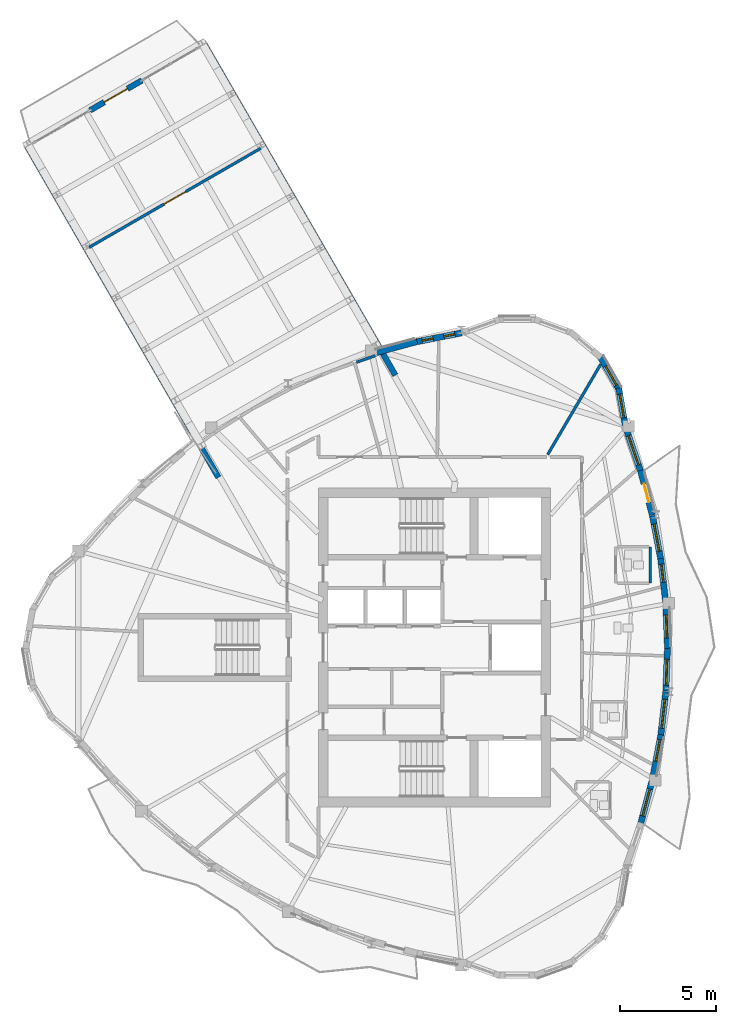
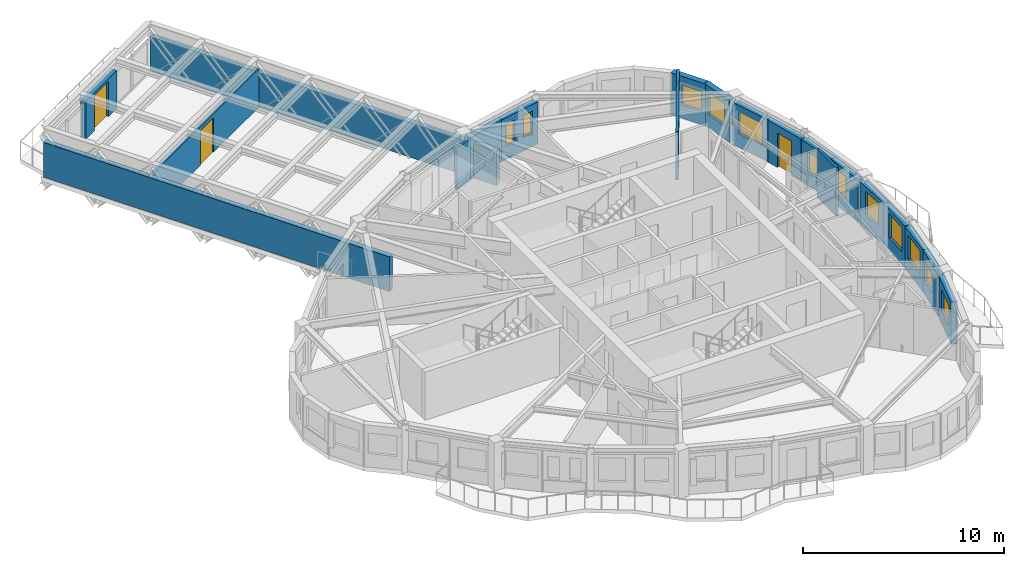
# One storey, part 9 of 14: 20 walls, 12 windows, 3 doors, 15 openings.
"""IFC4 building model written with IfcOpenShell, lengths in metres."""

from ifc_helpers import new_model, si_unit, direction, frame, frame_2d, origin, place, context, subcontext, project, spatial, rectangle, extrude, source, transform, mapped, material, layer, layer_set, type_object, element, fill, save


model = new_model("IFC4")

# Units and contexts
model_context = context("Model", 3, precision=1e-05, world=origin(), true_north=direction((0.0, 1.0)))
body_context = subcontext(model_context, "Body", "Model", "MODEL_VIEW")
ifc_project = project(units=[si_unit("LENGTHUNIT", "METRE"), si_unit("AREAUNIT", "SQUARE_METRE"), si_unit("VOLUMEUNIT", "CUBIC_METRE"), si_unit("PLANEANGLEUNIT", "RADIAN"), si_unit("MASSUNIT", "GRAM", prefix="KILO")], contexts=[model_context])

# Site, building, storey
site_placement = place(None, origin())
site = spatial("IfcSite", under=ifc_project, at=site_placement, CompositionType="ELEMENT")
building_placement = place(site_placement, origin())
building = spatial("IfcBuilding", under=site, at=building_placement, Name="Qafzar Sky-Pleat Residences", CompositionType="ELEMENT")
storey_placement = place(building_placement, frame((0.0, 0.0, 208.39990234375)))
storey = spatial("IfcBuildingStorey", under=building, at=storey_placement, Name="L62", CompositionType="ELEMENT", Elevation=208.39990234375)

# Wall, opening, door
ifc_material_1 = material(Name="Acoustic gypsum plasterboard partition", Category="gypsum")
ifc_layer_1 = layer(ifc_material_1, 0.14501953125)
ifc_layer_set_1 = layer_set([ifc_layer_1], Name="Acoustic gypsum plasterboard partition")
wall_type_1 = type_object("IfcWallType", Name="PART-UNIT-145", PredefinedType="PARTITIONING", material=ifc_layer_set_1)
wall_1_placement = place(storey_placement, frame((12.3583984375, 46.83837890625, 0.0), z_axis=(0.0, 0.0, 1.0), x_axis=(0.866032792327, 0.499987202451, 0.0)))
wall_1 = element("IfcWall", 1, at=wall_1_placement, inside=storey, type_object=wall_type_1, Name="L62 Partition Wall PART-L62-PW-001", PredefinedType="PARTITIONING", context=body_context, shape_type="SweptSolid", body=[
    extrude(rectangle(XDim=10.323974609375, YDim=0.14501953125, at=frame_2d((5.162109375, 0.0))), origin(), (0.0, 0.0, 1.0), 2.35302734375),
])
opening_1_placement = place(wall_1_placement, frame((4.511474609375, 0.0, 0.0)))
opening_1 = element("IfcOpeningElement", 2, at=opening_1_placement, cuts=wall_1, Name="Opening ID-05", PredefinedType="OPENING", context=body_context, shape_type="SweptSolid", body=[
    extrude(rectangle(XDim=1.300048828125, YDim=2.10009765625, at=frame_2d((0.64990234375, 1.050048828125))), frame((0.0, 0.08251953125, 0.0), z_axis=(0.0, -1.0, 0.0), x_axis=(1.0, 0.0, 0.0)), (0.0, 0.0, 1.0), 0.1650390625),
])
ifc_material_2 = material(Name="Timber-faced fire door", Category="wood")
door_type_1 = type_object("IfcDoorType", Name="DR-LNG-1300", OperationType="DOUBLE_DOOR_SINGLE_SWING", PredefinedType="DOOR", material=ifc_material_2)
shared_shape_1 = source(origin(), body_context, "Body", "SweptSolid", [
    extrude(rectangle(XDim=1.300048828125, YDim=2.10009765625, at=frame_2d((0.64990234375, 1.050048828125))), frame((0.0, 0.02490234375, 0.0), z_axis=(0.0, -1.0, 0.0), x_axis=(1.0, 0.0, 0.0)), (0.0, 0.0, 1.0), 0.050048828125),
])
door_1_placement = place(opening_1_placement, origin())
door_1 = element("IfcDoor", 3, at=door_1_placement, inside=storey, type_object=door_type_1, Name="L62 Panorama Sky Lounge Door", OperationType="DOUBLE_DOOR_SINGLE_SWING", OverallHeight=2.10009765625, OverallWidth=1.300048828125, PredefinedType="DOOR", context=body_context, shape_type="MappedRepresentation", body=[
    mapped(shared_shape_1, transform((0.0, 0.0, 0.0), x_axis=(1.0, 0.0, 0.0), y_axis=(0.0, 1.0, 0.0), z_axis=(0.0, 0.0, 1.0), scale=1.0)),
])
fill(opening_1, door_1)

# Walls
wall_2_placement = place(storey_placement, frame((36.242431640625, 36.043701171875, 0.0), z_axis=(0.0, 0.0, 1.0), x_axis=(0.50599508157, 0.862536362959, 0.0)))
element("IfcWall", 4, at=wall_2_placement, inside=storey, type_object=wall_type_1, Name="L62 Partition Wall PART-L62-PW-021", PredefinedType="PARTITIONING", context=body_context, shape_type="SweptSolid", body=[
    extrude(rectangle(XDim=5.4560546875, YDim=0.14501953125, at=frame_2d((2.72802734375, 0.0))), origin(), (0.0, 0.0, 1.0), 2.93505859375),
])
wall_3_placement = place(storey_placement, frame((26.28662109375, 40.85595703125, 0.0), z_axis=(0.0, 0.0, 1.0), x_axis=(0.944089421658, 0.329689496214, 0.0)))
element("IfcWall", 5, at=wall_3_placement, inside=storey, type_object=wall_type_1, Name="L62 Partition Wall PART-L62-PW-048", PredefinedType="PARTITIONING", context=body_context, shape_type="SweptSolid", body=[
    extrude(rectangle(XDim=1.03662109375, YDim=0.14501953125, at=frame_2d((0.518310546875, 0.0))), origin(), (0.0, 0.0, 1.0), 2.543212890625),
])
ifc_material_3 = material(Name="Moisture-resistant gypsum partition", Category="gypsum")
ifc_layer_2 = layer(ifc_material_3, 0.1298828125)
ifc_layer_set_2 = layer_set([ifc_layer_2], Name="Moisture-resistant gypsum partition")
wall_type_2 = type_object("IfcWallType", Name="PART-WET-130", PredefinedType="PARTITIONING", material=ifc_layer_set_2)
wall_4_placement = place(storey_placement, frame((41.594970703125, 29.343994140625, 0.0), z_axis=(0.0, 0.0, 1.0), x_axis=(0.0, 1.0, 0.0)))
element("IfcWall", 6, at=wall_4_placement, inside=storey, type_object=wall_type_2, Name="L62 Partition Wall PART-L62-PW-033", PredefinedType="PARTITIONING", context=body_context, shape_type="SweptSolid", body=[
    extrude(rectangle(XDim=1.89990234375, YDim=0.1298828125, at=frame_2d((0.949951171875, 0.0))), origin(), (0.0, 0.0, 1.0), 2.93505859375),
])
ifc_material_4 = material(Name="Precast concrete C40/50 with honed Riyadh limestone", Category="concrete")
ifc_layer_3 = layer(ifc_material_4, 0.300048828125)
ifc_layer_set_3 = layer_set([ifc_layer_3], Name="Precast concrete C40/50 with honed Riyadh limestone")
wall_type_3 = type_object("IfcWallType", Name="WALL-EXT-300", PredefinedType="SOLIDWALL", material=ifc_layer_set_3)
for number, where, z_axis, x_axis, name in (
    (7, (19.0927734375, 34.858154296875, 0.0), (0.0, 0.0, 1.0), (-0.499994279776, 0.866028706332, 0.0), "L62 SB-5 Side Spandrel Wall L"),
    (8, (28.307373046875, 40.177978515625, 0.0), (0.0, 0.0, 1.0), (-0.500003467681, 0.866023401709, 0.0), "L62 SB-5 Side Spandrel Wall R"),
):
    element("IfcWall", number, at=place(storey_placement, frame(where, z_axis=z_axis, x_axis=x_axis)), inside=storey, type_object=wall_type_3, Name=name, PredefinedType="SOLIDWALL", context=body_context, shape_type="SweptSolid", body=[
        extrude(rectangle(XDim=19.928955078125, YDim=0.300048828125, at=frame_2d((9.96435546875, 0.0))), origin(), (0.0, 0.0, 1.0), 2.114990234375),
    ])

# Wall, opening, door
wall_5_placement = place(storey_placement, frame((12.399658203125, 53.97119140625, 0.0), z_axis=(0.0, 0.0, 1.0), x_axis=(0.866043546354, 0.499968574831, 0.0)))
wall_5 = element("IfcWall", 9, at=wall_5_placement, inside=storey, type_object=wall_type_3, Name="L62 SB-5 Prow Portal Wall", PredefinedType="SOLIDWALL", context=body_context, shape_type="SweptSolid", body=[
    extrude(rectangle(XDim=3.119873046875, YDim=0.300048828125, at=frame_2d((1.56005859375, 0.0))), origin(), (0.0, 0.0, 1.0), 2.300048828125),
])
opening_2_placement = place(wall_5_placement, frame((0.860107421875, 0.0, 0.0)))
opening_2 = element("IfcOpeningElement", 10, at=opening_2_placement, cuts=wall_5, Name="Opening ED-07", PredefinedType="OPENING", context=body_context, shape_type="SweptSolid", body=[
    extrude(rectangle(XDim=1.39990234375, YDim=2.14990234375, at=frame_2d((0.699951171875, 1.074951171875))), frame((0.0, 0.16015625, 0.0), z_axis=(0.0, -1.0, 0.0), x_axis=(1.0, 0.0, 0.0)), (0.0, 0.0, 1.0), 0.320068359375),
])
ifc_material_5 = material(Name="Glazed bronze aluminium door", Category="aluminium")
door_type_2 = type_object("IfcDoorType", Name="DR-SB-1400", OperationType="DOUBLE_DOOR_SINGLE_SWING", PredefinedType="DOOR", material=ifc_material_5)
shared_shape_2 = source(origin(), body_context, "Body", "SweptSolid", [
    extrude(rectangle(XDim=1.39990234375, YDim=2.14990234375, at=frame_2d((0.699951171875, 1.074951171875))), frame((0.0, 0.02490234375, 0.0), z_axis=(0.0, -1.0, 0.0), x_axis=(1.0, 0.0, 0.0)), (0.0, 0.0, 1.0), 0.050048828125),
])
door_2_placement = place(opening_2_placement, origin())
door_2 = element("IfcDoor", 11, at=door_2_placement, inside=storey, type_object=door_type_2, Name="L62 SB-5 Tip Balcony Glazed Door", OperationType="DOUBLE_DOOR_SINGLE_SWING", OverallHeight=2.14990234375, OverallWidth=1.39990234375, PredefinedType="DOOR", context=body_context, shape_type="MappedRepresentation", body=[
    mapped(shared_shape_2, transform((0.0, 0.0, 0.0), x_axis=(1.0, 0.0, 0.0), y_axis=(0.0, 1.0, 0.0), z_axis=(0.0, 0.0, 1.0), scale=1.0)),
])
fill(opening_2, door_2)

# Wall, opening, window
ifc_layer_4 = layer(ifc_material_4, 0.320068359375)
ifc_layer_set_4 = layer_set([ifc_layer_4], Name="Precast concrete C40/50 with honed Riyadh limestone")
wall_type_4 = type_object("IfcWallType", Name="WALL-EXT-320", PredefinedType="SOLIDWALL", material=ifc_layer_set_4)
wall_6_placement = place(storey_placement, frame((41.076171875, 16.786376953125, 0.0), z_axis=(0.0, 0.0, 1.0), x_axis=(0.257037260973, 0.966401493413, 0.0)))
wall_6 = element("IfcWall", 12, at=wall_6_placement, inside=storey, type_object=wall_type_4, Name="L62 Limestone Facade Wall 24", PredefinedType="SOLIDWALL", context=body_context, shape_type="SweptSolid", body=[
    extrude(rectangle(XDim=2.332763671875, YDim=0.320068359375, at=frame_2d((1.16650390625, 0.0))), origin(), (0.0, 0.0, 1.0), 2.55517578125),
])
opening_3_placement = place(wall_6_placement, frame((0.4462890625, 0.0, 0.820068359375)))
opening_3 = element("IfcOpeningElement", 13, at=opening_3_placement, cuts=wall_6, Name="Opening WN-15", PredefinedType="OPENING", context=body_context, shape_type="SweptSolid", body=[
    extrude(rectangle(XDim=1.449951171875, YDim=1.25, at=frame_2d((0.72509765625, 0.625))), frame((0.0, 0.169921875, 0.0), z_axis=(0.0, -1.0, 0.0), x_axis=(1.0, 0.0, 0.0)), (0.0, 0.0, 1.0), 0.340087890625),
])
ifc_material_6 = material(Name="Solar-control low-E glass in bronze aluminium frame", Category="glass")
window_type_1 = type_object("IfcWindowType", Name="WIN-15", PartitioningType="SINGLE_PANEL", PredefinedType="WINDOW", material=ifc_material_6)
shared_shape_3 = source(origin(), body_context, "Body", "SweptSolid", [
    extrude(rectangle(XDim=1.449951171875, YDim=1.25, at=frame_2d((0.72509765625, 0.625))), frame((0.0, 0.030029296875, 0.0), z_axis=(0.0, -1.0, 0.0), x_axis=(1.0, 0.0, 0.0)), (0.0, 0.0, 1.0), 0.06005859375),
])
window_1_placement = place(opening_3_placement, origin())
window_1 = element("IfcWindow", 14, at=window_1_placement, inside=storey, type_object=window_type_1, Name="L62 Punched Facade Window 24", OverallHeight=1.25, OverallWidth=1.449951171875, PartitioningType="SINGLE_PANEL", PredefinedType="WINDOW", context=body_context, shape_type="MappedRepresentation", body=[
    mapped(shared_shape_3, transform((0.0, 0.0, 0.0), x_axis=(1.0, 0.0, 0.0), y_axis=(0.0, 1.0, 0.0), z_axis=(0.0, 0.0, 1.0), scale=1.0)),
])
fill(opening_3, window_1)

wall_7_placement = place(storey_placement, frame((41.713134765625, 19.204833984375, 0.0), z_axis=(0.0, 0.0, 1.0), x_axis=(0.186691464441, 0.982418595663, 0.0)))
wall_7 = element("IfcWall", 15, at=wall_7_placement, inside=storey, type_object=wall_type_4, Name="L62 Limestone Facade Wall 25", PredefinedType="SOLIDWALL", context=body_context, shape_type="SweptSolid", body=[
    extrude(rectangle(XDim=2.293701171875, YDim=0.320068359375, at=frame_2d((1.14697265625, 0.0))), origin(), (0.0, 0.0, 1.0), 2.55517578125),
])
opening_4_placement = place(wall_7_placement, frame((0.880126953125, 0.0, 0.820068359375)))
opening_4 = element("IfcOpeningElement", 16, at=opening_4_placement, cuts=wall_7, Name="Opening WN-16", PredefinedType="OPENING", context=body_context, shape_type="SweptSolid", body=[
    extrude(rectangle(XDim=1.14990234375, YDim=1.199951171875, at=frame_2d((0.574951171875, 0.60009765625))), frame((0.0, 0.169921875, 0.0), z_axis=(0.0, -1.0, 0.0), x_axis=(1.0, 0.0, 0.0)), (0.0, 0.0, 1.0), 0.340087890625),
])
window_type_2 = type_object("IfcWindowType", Name="WIN-16", PartitioningType="SINGLE_PANEL", PredefinedType="WINDOW", material=ifc_material_6)
shared_shape_4 = source(origin(), body_context, "Body", "SweptSolid", [
    extrude(rectangle(XDim=1.14990234375, YDim=1.199951171875, at=frame_2d((0.574951171875, 0.60009765625))), frame((0.0, 0.030029296875, 0.0), z_axis=(0.0, -1.0, 0.0), x_axis=(1.0, 0.0, 0.0)), (0.0, 0.0, 1.0), 0.06005859375),
])
window_2_placement = place(opening_4_placement, origin())
window_2 = element("IfcWindow", 17, at=window_2_placement, inside=storey, type_object=window_type_2, Name="L62 Punched Facade Window 25-2", OverallHeight=1.199951171875, OverallWidth=1.14990234375, PartitioningType="SINGLE_PANEL", PredefinedType="WINDOW", context=body_context, shape_type="MappedRepresentation", body=[
    mapped(shared_shape_4, transform((0.0, 0.0, 0.0), x_axis=(1.0, 0.0, 0.0), y_axis=(0.0, 1.0, 0.0), z_axis=(0.0, 0.0, 1.0), scale=1.0)),
])
fill(opening_4, window_2)

wall_8_placement = place(storey_placement, frame((42.128173828125, 21.371337890625, 0.0), z_axis=(0.0, 0.0, 1.0), x_axis=(0.113319777802, 0.993558567956, 0.0)))
wall_8 = element("IfcWall", 18, at=wall_8_placement, inside=storey, type_object=wall_type_4, Name="L62 Limestone Facade Wall 26", PredefinedType="SOLIDWALL", context=body_context, shape_type="SweptSolid", body=[
    extrude(rectangle(XDim=2.337646484375, YDim=0.320068359375, at=frame_2d((1.1689453125, 0.0))), origin(), (0.0, 0.0, 1.0), 2.55517578125),
])
opening_5_placement = place(wall_8_placement, frame((0.4287109375, 0.0, 0.820068359375)))
opening_5 = element("IfcOpeningElement", 19, at=opening_5_placement, cuts=wall_8, Name="Opening WN-03", PredefinedType="OPENING", context=body_context, shape_type="SweptSolid", body=[
    extrude(rectangle(XDim=1.5, YDim=1.449951171875, at=frame_2d((0.75, 0.72509765625))), frame((0.0, 0.169921875, 0.0), z_axis=(0.0, -1.0, 0.0), x_axis=(1.0, 0.0, 0.0)), (0.0, 0.0, 1.0), 0.340087890625),
])
window_type_3 = type_object("IfcWindowType", Name="WIN-03", PartitioningType="DOUBLE_PANEL_VERTICAL", PredefinedType="WINDOW", material=ifc_material_6)
shared_shape_5 = source(origin(), body_context, "Body", "SweptSolid", [
    extrude(rectangle(XDim=1.5, YDim=1.449951171875, at=frame_2d((0.75, 0.72509765625))), frame((0.0, 0.030029296875, 0.0), z_axis=(0.0, -1.0, 0.0), x_axis=(1.0, 0.0, 0.0)), (0.0, 0.0, 1.0), 0.06005859375),
])
window_3_placement = place(opening_5_placement, origin())
window_3 = element("IfcWindow", 20, at=window_3_placement, inside=storey, type_object=window_type_3, Name="L62 Punched Facade Window 26", OverallHeight=1.449951171875, OverallWidth=1.5, PartitioningType="SINGLE_PANEL", PredefinedType="WINDOW", context=body_context, shape_type="MappedRepresentation", body=[
    mapped(shared_shape_5, transform((0.0, 0.0, 0.0), x_axis=(1.0, 0.0, 0.0), y_axis=(0.0, 1.0, 0.0), z_axis=(0.0, 0.0, 1.0), scale=1.0)),
])
fill(opening_5, window_3)

wall_9_placement = place(storey_placement, frame((42.39501953125, 23.7216796875, 0.0), z_axis=(0.0, 0.0, 1.0), x_axis=(0.038025668885, 0.999276762717, 0.0)))
wall_9 = element("IfcWall", 21, at=wall_9_placement, inside=storey, type_object=wall_type_4, Name="L62 Limestone Facade Wall 27", PredefinedType="SOLIDWALL", context=body_context, shape_type="SweptSolid", body=[
    extrude(rectangle(XDim=2.32421875, YDim=0.320068359375, at=frame_2d((1.162109375, 0.0))), origin(), (0.0, 0.0, 1.0), 2.55517578125),
])
opening_6_placement = place(wall_9_placement, frame((0.3125, 0.0, 0.820068359375)))
opening_6 = element("IfcOpeningElement", 22, at=opening_6_placement, cuts=wall_9, Name="Opening WN-04", PredefinedType="OPENING", context=body_context, shape_type="SweptSolid", body=[
    extrude(rectangle(XDim=1.35009765625, YDim=1.449951171875, at=frame_2d((0.675048828125, 0.72509765625))), frame((0.0, 0.169921875, 0.0), z_axis=(0.0, -1.0, 0.0), x_axis=(1.0, 0.0, 0.0)), (0.0, 0.0, 1.0), 0.340087890625),
])
window_type_4 = type_object("IfcWindowType", Name="WIN-04", PartitioningType="SINGLE_PANEL", PredefinedType="WINDOW", material=ifc_material_6)
shared_shape_6 = source(origin(), body_context, "Body", "SweptSolid", [
    extrude(rectangle(XDim=1.35009765625, YDim=1.449951171875, at=frame_2d((0.675048828125, 0.72509765625))), frame((0.0, 0.030029296875, 0.0), z_axis=(0.0, -1.0, 0.0), x_axis=(1.0, 0.0, 0.0)), (0.0, 0.0, 1.0), 0.06005859375),
])
window_4_placement = place(opening_6_placement, origin())
window_4 = element("IfcWindow", 23, at=window_4_placement, inside=storey, type_object=window_type_4, Name="L62 Punched Facade Window 27", OverallHeight=1.449951171875, OverallWidth=1.35009765625, PartitioningType="SINGLE_PANEL", PredefinedType="WINDOW", context=body_context, shape_type="MappedRepresentation", body=[
    mapped(shared_shape_6, transform((0.0, 0.0, 0.0), x_axis=(1.0, 0.0, 0.0), y_axis=(0.0, 1.0, 0.0), z_axis=(0.0, 0.0, 1.0), scale=1.0)),
])
fill(opening_6, window_4)

wall_10_placement = place(storey_placement, frame((42.4833984375, 25.955810546875, 0.0), z_axis=(0.0, 0.0, 1.0), x_axis=(-0.038013039165, 0.999277243238, 0.0)))
wall_10 = element("IfcWall", 24, at=wall_10_placement, inside=storey, type_object=wall_type_4, Name="L62 Limestone Facade Wall 28", PredefinedType="SOLIDWALL", context=body_context, shape_type="SweptSolid", body=[
    extrude(rectangle(XDim=2.25439453125, YDim=0.320068359375, at=frame_2d((1.127197265625, 0.0))), origin(), (0.0, 0.0, 1.0), 2.55517578125),
])
opening_7_placement = place(wall_10_placement, frame((0.531982421875, 0.0, 0.820068359375)))
opening_7 = element("IfcOpeningElement", 25, at=opening_7_placement, cuts=wall_10, Name="Opening WN-05", PredefinedType="OPENING", context=body_context, shape_type="SweptSolid", body=[
    extrude(rectangle(XDim=1.199951171875, YDim=1.449951171875, at=frame_2d((0.60009765625, 0.72509765625))), frame((0.0, 0.169921875, 0.0), z_axis=(0.0, -1.0, 0.0), x_axis=(1.0, 0.0, 0.0)), (0.0, 0.0, 1.0), 0.340087890625),
])
window_type_5 = type_object("IfcWindowType", Name="WIN-05", PartitioningType="SINGLE_PANEL", PredefinedType="WINDOW", material=ifc_material_6)
shared_shape_7 = source(origin(), body_context, "Body", "SweptSolid", [
    extrude(rectangle(XDim=1.199951171875, YDim=1.449951171875, at=frame_2d((0.60009765625, 0.72509765625))), frame((0.0, 0.030029296875, 0.0), z_axis=(0.0, -1.0, 0.0), x_axis=(1.0, 0.0, 0.0)), (0.0, 0.0, 1.0), 0.06005859375),
])
window_5_placement = place(opening_7_placement, origin())
window_5 = element("IfcWindow", 26, at=window_5_placement, inside=storey, type_object=window_type_5, Name="L62 Punched Facade Window 28", OverallHeight=1.449951171875, OverallWidth=1.199951171875, PartitioningType="SINGLE_PANEL", PredefinedType="WINDOW", context=body_context, shape_type="MappedRepresentation", body=[
    mapped(shared_shape_7, transform((0.0, 0.0, 0.0), x_axis=(1.0, 0.0, 0.0), y_axis=(0.0, 1.0, 0.0), z_axis=(0.0, 0.0, 1.0), scale=1.0)),
])
fill(opening_7, window_5)

wall_11_placement = place(storey_placement, frame((42.385009765625, 28.375732421875, 0.0), z_axis=(0.0, 0.0, 1.0), x_axis=(-0.113267221285, 0.993564560853, 0.0)))
wall_11 = element("IfcWall", 27, at=wall_11_placement, inside=storey, type_object=wall_type_4, Name="L62 Limestone Facade Wall 29", PredefinedType="SOLIDWALL", context=body_context, shape_type="SweptSolid", body=[
    extrude(rectangle(XDim=2.267578125, YDim=0.320068359375, at=frame_2d((1.1337890625, 0.0))), origin(), (0.0, 0.0, 1.0), 2.55517578125),
])
opening_8_placement = place(wall_11_placement, frame((1.02099609375, 0.0, 0.820068359375)))
opening_8 = element("IfcOpeningElement", 28, at=opening_8_placement, cuts=wall_11, Name="Opening WN-12", PredefinedType="OPENING", context=body_context, shape_type="SweptSolid", body=[
    extrude(rectangle(XDim=0.949951171875, YDim=1.35009765625, at=frame_2d((0.47509765625, 0.675048828125))), frame((0.0, 0.169921875, 0.0), z_axis=(0.0, -1.0, 0.0), x_axis=(1.0, 0.0, 0.0)), (0.0, 0.0, 1.0), 0.340087890625),
])
window_type_6 = type_object("IfcWindowType", Name="WIN-12", PartitioningType="SINGLE_PANEL", PredefinedType="WINDOW", material=ifc_material_6)
shared_shape_8 = source(origin(), body_context, "Body", "SweptSolid", [
    extrude(rectangle(XDim=0.949951171875, YDim=1.35009765625, at=frame_2d((0.47509765625, 0.675048828125))), frame((0.0, 0.030029296875, 0.0), z_axis=(0.0, -1.0, 0.0), x_axis=(1.0, 0.0, 0.0)), (0.0, 0.0, 1.0), 0.06005859375),
])
window_6_placement = place(opening_8_placement, origin())
window_6 = element("IfcWindow", 29, at=window_6_placement, inside=storey, type_object=window_type_6, Name="L62 Punched Facade Window 29-2", OverallHeight=1.35009765625, OverallWidth=0.949951171875, PartitioningType="SINGLE_PANEL", PredefinedType="WINDOW", context=body_context, shape_type="MappedRepresentation", body=[
    mapped(shared_shape_8, transform((0.0, 0.0, 0.0), x_axis=(1.0, 0.0, 0.0), y_axis=(0.0, 1.0, 0.0), z_axis=(0.0, 0.0, 1.0), scale=1.0)),
])
fill(opening_8, window_6)

wall_12_placement = place(storey_placement, frame((42.141357421875, 30.541748046875, 0.0), z_axis=(0.0, 0.0, 1.0), x_axis=(-0.186632734065, 0.982429754525, 0.0)))
wall_12 = element("IfcWall", 30, at=wall_12_placement, inside=storey, type_object=wall_type_4, Name="L62 Limestone Facade Wall 30", PredefinedType="SOLIDWALL", context=body_context, shape_type="SweptSolid", body=[
    extrude(rectangle(XDim=2.36376953125, YDim=0.320068359375, at=frame_2d((1.181884765625, 0.0))), origin(), (0.0, 0.0, 1.0), 2.55517578125),
])
opening_9_placement = place(wall_12_placement, frame((0.466796875, 0.0, 0.820068359375)))
opening_9 = element("IfcOpeningElement", 31, at=opening_9_placement, cuts=wall_12, Name="Opening WN-15", PredefinedType="OPENING", context=body_context, shape_type="SweptSolid", body=[
    extrude(rectangle(XDim=1.449951171875, YDim=1.25, at=frame_2d((0.72509765625, 0.625))), frame((0.0, 0.169921875, 0.0), z_axis=(0.0, -1.0, 0.0), x_axis=(1.0, 0.0, 0.0)), (0.0, 0.0, 1.0), 0.340087890625),
])
window_7_placement = place(opening_9_placement, origin())
window_7 = element("IfcWindow", 32, at=window_7_placement, inside=storey, type_object=window_type_1, Name="L62 Punched Facade Window 30", OverallHeight=1.25, OverallWidth=1.449951171875, PartitioningType="SINGLE_PANEL", PredefinedType="WINDOW", context=body_context, shape_type="MappedRepresentation", body=[
    mapped(shared_shape_3, transform((0.0, 0.0, 0.0), x_axis=(1.0, 0.0, 0.0), y_axis=(0.0, 1.0, 0.0), z_axis=(0.0, 0.0, 1.0), scale=1.0)),
])
fill(opening_9, window_7)

# Wall, opening, door
wall_13_placement = place(storey_placement, frame((41.69384765625, 32.8916015625, 0.0), z_axis=(0.0, 0.0, 1.0), x_axis=(-0.257068132003, 0.966393282007, 0.0)))
wall_13 = element("IfcWall", 33, at=wall_13_placement, inside=storey, type_object=wall_type_4, Name="L62 Limestone Facade Wall 31", PredefinedType="SOLIDWALL", context=body_context, shape_type="SweptSolid", body=[
    extrude(rectangle(XDim=2.40283203125, YDim=0.320068359375, at=frame_2d((1.201416015625, 0.0))), origin(), (0.0, 0.0, 1.0), 2.55517578125),
])
opening_10_placement = place(wall_13_placement, frame((0.69140625, 0.0, 0.0)))
opening_10 = element("IfcOpeningElement", 34, at=opening_10_placement, cuts=wall_13, Name="Opening ED-05", PredefinedType="OPENING", context=body_context, shape_type="SweptSolid", body=[
    extrude(rectangle(XDim=1.0, YDim=2.10009765625, at=frame_2d((0.5, 1.050048828125))), frame((0.0, 0.169921875, 0.0), z_axis=(0.0, -1.0, 0.0), x_axis=(1.0, 0.0, 0.0)), (0.0, 0.0, 1.0), 0.340087890625),
])
door_type_3 = type_object("IfcDoorType", Name="DR-BAL-1000", OperationType="NOTDEFINED", PredefinedType="DOOR", material=ifc_material_5)
shared_shape_9 = source(origin(), body_context, "Body", "SweptSolid", [
    extrude(rectangle(XDim=1.0, YDim=2.10009765625, at=frame_2d((0.5, 1.050048828125))), frame((0.0, 0.02490234375, 0.0), z_axis=(0.0, -1.0, 0.0), x_axis=(1.0, 0.0, 0.0)), (0.0, 0.0, 1.0), 0.050048828125),
])
door_3_placement = place(opening_10_placement, origin())
door_3 = element("IfcDoor", 35, at=door_3_placement, inside=storey, type_object=door_type_3, Name="L62 Glazed Balcony Door 1", OperationType="SINGLE_SWING_RIGHT", OverallHeight=2.10009765625, OverallWidth=1.0, PredefinedType="DOOR", context=body_context, shape_type="MappedRepresentation", body=[
    mapped(shared_shape_9, transform((0.0, 0.0, 0.0), x_axis=(1.0, 0.0, 0.0), y_axis=(0.0, 1.0, 0.0), z_axis=(0.0, 0.0, 1.0), scale=1.0)),
])
fill(opening_10, door_3)

# Wall, opening, window
wall_14_placement = place(storey_placement, frame((41.1015625, 35.13037109375, 0.0), z_axis=(0.0, 0.0, 1.0), x_axis=(-0.323685265908, 0.946164810503, 0.0)))
wall_14 = element("IfcWall", 36, at=wall_14_placement, inside=storey, type_object=wall_type_4, Name="L62 Limestone Facade Wall 32", PredefinedType="SOLIDWALL", context=body_context, shape_type="SweptSolid", body=[
    extrude(rectangle(XDim=2.383544921875, YDim=0.320068359375, at=frame_2d((1.19189453125, 0.0))), origin(), (0.0, 0.0, 1.0), 2.55517578125),
])
opening_11_placement = place(wall_14_placement, frame((0.408203125, 0.0, 0.820068359375)))
opening_11 = element("IfcOpeningElement", 37, at=opening_11_placement, cuts=wall_14, Name="Opening WN-09", PredefinedType="OPENING", context=body_context, shape_type="SweptSolid", body=[
    extrude(rectangle(XDim=1.60009765625, YDim=1.35009765625, at=frame_2d((0.800048828125, 0.675048828125))), frame((0.0, 0.169921875, 0.0), z_axis=(0.0, -1.0, 0.0), x_axis=(1.0, 0.0, 0.0)), (0.0, 0.0, 1.0), 0.340087890625),
])
window_type_7 = type_object("IfcWindowType", Name="WIN-09", PartitioningType="DOUBLE_PANEL_VERTICAL", PredefinedType="WINDOW", material=ifc_material_6)
shared_shape_10 = source(origin(), body_context, "Body", "SweptSolid", [
    extrude(rectangle(XDim=1.60009765625, YDim=1.35009765625, at=frame_2d((0.800048828125, 0.675048828125))), frame((0.0, 0.030029296875, 0.0), z_axis=(0.0, -1.0, 0.0), x_axis=(1.0, 0.0, 0.0)), (0.0, 0.0, 1.0), 0.06005859375),
])
window_8_placement = place(opening_11_placement, origin())
window_8 = element("IfcWindow", 38, at=window_8_placement, inside=storey, type_object=window_type_7, Name="L62 Punched Facade Window 32", OverallHeight=1.35009765625, OverallWidth=1.60009765625, PartitioningType="SINGLE_PANEL", PredefinedType="WINDOW", context=body_context, shape_type="MappedRepresentation", body=[
    mapped(shared_shape_10, transform((0.0, 0.0, 0.0), x_axis=(1.0, 0.0, 0.0), y_axis=(0.0, 1.0, 0.0), z_axis=(0.0, 0.0, 1.0), scale=1.0)),
])
fill(opening_11, window_8)

wall_15_placement = place(storey_placement, frame((40.279296875, 37.583251953125, 0.0), z_axis=(0.0, 0.0, 1.0), x_axis=(-0.173671780312, 0.984803590937, 0.0)))
wall_15 = element("IfcWall", 39, at=wall_15_placement, inside=storey, type_object=wall_type_4, Name="L62 Limestone Facade Wall 33", PredefinedType="SOLIDWALL", context=body_context, shape_type="SweptSolid", body=[
    extrude(rectangle(XDim=1.96240234375, YDim=0.320068359375, at=frame_2d((0.981201171875, 0.0))), origin(), (0.0, 0.0, 1.0), 2.55517578125),
])
opening_12_placement = place(wall_15_placement, frame((0.39111328125, 0.0, 0.820068359375)))
opening_12 = element("IfcOpeningElement", 40, at=opening_12_placement, cuts=wall_15, Name="Opening WN-11", PredefinedType="OPENING", context=body_context, shape_type="SweptSolid", body=[
    extrude(rectangle(XDim=1.25, YDim=1.35009765625, at=frame_2d((0.625, 0.675048828125))), frame((0.0, 0.169921875, 0.0), z_axis=(0.0, -1.0, 0.0), x_axis=(1.0, 0.0, 0.0)), (0.0, 0.0, 1.0), 0.340087890625),
])
window_type_8 = type_object("IfcWindowType", Name="WIN-11", PartitioningType="SINGLE_PANEL", PredefinedType="WINDOW", material=ifc_material_6)
shared_shape_11 = source(origin(), body_context, "Body", "SweptSolid", [
    extrude(rectangle(XDim=1.25, YDim=1.35009765625, at=frame_2d((0.625, 0.675048828125))), frame((0.0, 0.030029296875, 0.0), z_axis=(0.0, -1.0, 0.0), x_axis=(1.0, 0.0, 0.0)), (0.0, 0.0, 1.0), 0.06005859375),
])
window_9_placement = place(opening_12_placement, origin())
window_9 = element("IfcWindow", 41, at=window_9_placement, inside=storey, type_object=window_type_8, Name="L62 Punched Facade Window 33", OverallHeight=1.35009765625, OverallWidth=1.25, PartitioningType="SINGLE_PANEL", PredefinedType="WINDOW", context=body_context, shape_type="MappedRepresentation", body=[
    mapped(shared_shape_11, transform((0.0, 0.0, 0.0), x_axis=(1.0, 0.0, 0.0), y_axis=(0.0, 1.0, 0.0), z_axis=(0.0, 0.0, 1.0), scale=1.0)),
])
fill(opening_12, window_9)

wall_16_placement = place(storey_placement, frame((39.983154296875, 39.393310546875, 0.0), z_axis=(0.0, 0.0, 1.0), x_axis=(-0.499995423472, 0.866028046028, 0.0)))
wall_16 = element("IfcWall", 42, at=wall_16_placement, inside=storey, type_object=wall_type_4, Name="L62 Limestone Facade Wall 34", PredefinedType="SOLIDWALL", context=body_context, shape_type="SweptSolid", body=[
    extrude(rectangle(XDim=2.09033203125, YDim=0.320068359375, at=frame_2d((1.045166015625, 0.0))), origin(), (0.0, 0.0, 1.0), 2.55517578125),
])
opening_13_placement = place(wall_16_placement, frame((0.302978515625, 0.0, 0.820068359375)))
opening_13 = element("IfcOpeningElement", 43, at=opening_13_placement, cuts=wall_16, Name="Opening WN-16", PredefinedType="OPENING", context=body_context, shape_type="SweptSolid", body=[
    extrude(rectangle(XDim=1.14990234375, YDim=1.199951171875, at=frame_2d((0.574951171875, 0.60009765625))), frame((0.0, 0.169921875, 0.0), z_axis=(0.0, -1.0, 0.0), x_axis=(1.0, 0.0, 0.0)), (0.0, 0.0, 1.0), 0.340087890625),
])
window_10_placement = place(opening_13_placement, origin())
window_10 = element("IfcWindow", 44, at=window_10_placement, inside=storey, type_object=window_type_2, Name="L62 Punched Facade Window 34", OverallHeight=1.199951171875, OverallWidth=1.14990234375, PartitioningType="SINGLE_PANEL", PredefinedType="WINDOW", context=body_context, shape_type="MappedRepresentation", body=[
    mapped(shared_shape_4, transform((0.0, 0.0, 0.0), x_axis=(1.0, 0.0, 0.0), y_axis=(0.0, 1.0, 0.0), z_axis=(0.0, 0.0, 1.0), scale=1.0)),
])
fill(opening_13, window_10)

# Wall, openings, windows
wall_17_placement = place(storey_placement, frame((31.763671875, 42.384521484375, 0.0), z_axis=(0.0, 0.0, 1.0), x_axis=(-0.981229659911, -0.192842823335, 0.0)))
wall_17 = element("IfcWall", 45, at=wall_17_placement, inside=storey, type_object=wall_type_4, Name="L62 Limestone Facade Wall 39", PredefinedType="SOLIDWALL", context=body_context, shape_type="SweptSolid", body=[
    extrude(rectangle(XDim=2.45361328125, YDim=0.320068359375, at=frame_2d((1.226806640625, 0.0))), origin(), (0.0, 0.0, 1.0), 2.55517578125),
])
opening_14_placement = place(wall_17_placement, frame((0.361328125, 0.0, 0.820068359375)))
opening_14 = element("IfcOpeningElement", 46, at=opening_14_placement, cuts=wall_17, Name="Opening WN-17", PredefinedType="OPENING", context=body_context, shape_type="SweptSolid", body=[
    extrude(rectangle(XDim=0.580078125, YDim=1.35009765625, at=frame_2d((0.2900390625, 0.675048828125))), frame((0.0, 0.169921875, 0.0), z_axis=(0.0, -1.0, 0.0), x_axis=(1.0, 0.0, 0.0)), (0.0, 0.0, 1.0), 0.340087890625),
])
opening_15_placement = place(wall_17_placement, frame((1.518310546875, 0.0, 0.820068359375)))
opening_15 = element("IfcOpeningElement", 47, at=opening_15_placement, cuts=wall_17, Name="Opening WN-17", PredefinedType="OPENING", context=body_context, shape_type="SweptSolid", body=[
    extrude(rectangle(XDim=0.580078125, YDim=1.35009765625, at=frame_2d((0.2900390625, 0.675048828125))), frame((0.0, 0.169921875, 0.0), z_axis=(0.0, -1.0, 0.0), x_axis=(1.0, 0.0, 0.0)), (0.0, 0.0, 1.0), 0.340087890625),
])
window_type_9 = type_object("IfcWindowType", Name="WIN-17", PartitioningType="SINGLE_PANEL", PredefinedType="WINDOW", material=ifc_material_6)
shared_shape_12 = source(origin(), body_context, "Body", "SweptSolid", [
    extrude(rectangle(XDim=0.580078125, YDim=1.35009765625, at=frame_2d((0.2900390625, 0.675048828125))), frame((0.0, 0.030029296875, 0.0), z_axis=(0.0, -1.0, 0.0), x_axis=(1.0, 0.0, 0.0)), (0.0, 0.0, 1.0), 0.06005859375),
])
window_11_placement = place(opening_14_placement, origin())
window_11 = element("IfcWindow", 48, at=window_11_placement, inside=storey, type_object=window_type_9, Name="L62 Punched Facade Window 39", OverallHeight=1.35009765625, OverallWidth=0.580078125, PartitioningType="SINGLE_PANEL", PredefinedType="WINDOW", context=body_context, shape_type="MappedRepresentation", body=[
    mapped(shared_shape_12, transform((0.0, 0.0, 0.0), x_axis=(1.0, 0.0, 0.0), y_axis=(0.0, 1.0, 0.0), z_axis=(0.0, 0.0, 1.0), scale=1.0)),
])
fill(opening_14, window_11)
window_12_placement = place(opening_15_placement, origin())
window_12 = element("IfcWindow", 49, at=window_12_placement, inside=storey, type_object=window_type_9, Name="L62 Punched Facade Window 39-2", OverallHeight=1.35009765625, OverallWidth=0.580078125, PartitioningType="SINGLE_PANEL", PredefinedType="WINDOW", context=body_context, shape_type="MappedRepresentation", body=[
    mapped(shared_shape_12, transform((0.0, 0.0, 0.0), x_axis=(1.0, 0.0, 0.0), y_axis=(0.0, 1.0, 0.0), z_axis=(0.0, 0.0, 1.0), scale=1.0)),
])
fill(opening_15, window_12)

# Wall
wall_18_placement = place(storey_placement, frame((29.441162109375, 41.93115234375, 0.0), z_axis=(0.0, 0.0, 1.0), x_axis=(-0.965448832587, -0.260592693023, 0.0)))
element("IfcWall", 50, at=wall_18_placement, inside=storey, type_object=wall_type_4, Name="L62 Limestone Facade Wall 40", PredefinedType="SOLIDWALL", context=body_context, shape_type="SweptSolid", body=[
    extrude(rectangle(XDim=2.332763671875, YDim=0.320068359375, at=frame_2d((1.16650390625, 0.0))), origin(), (0.0, 0.0, 1.0), 2.55517578125),
])

save(model, "model.ifc")
